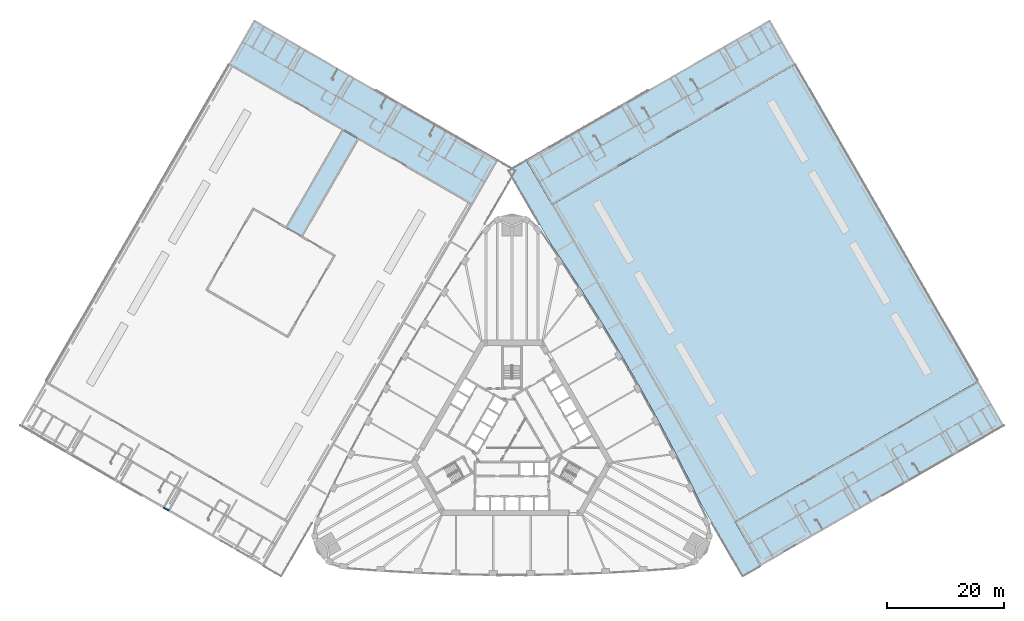
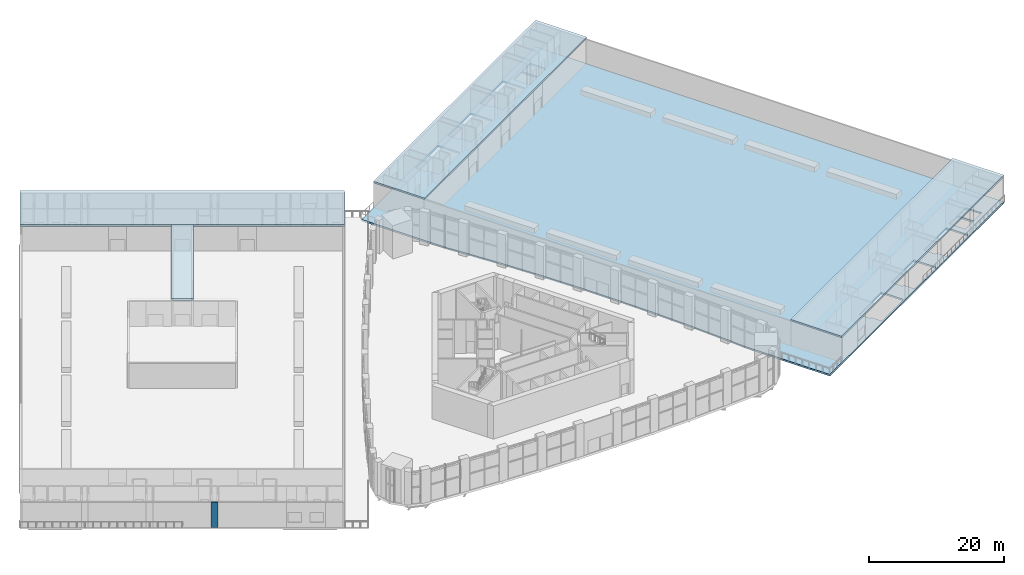
# One storey, part 21 of 41: 5 slabs, 1 wall.
"""IFC4 building model written with IfcOpenShell, lengths in metres."""

from ifc_helpers import new_model, si_unit, direction, frame, frame_2d, origin, place, context, subcontext, project, spatial, polyline, rectangle, outline, extrude, material, layer, layer_set, type_object, element, save


model = new_model("IFC4")

# Units and contexts
model_context = context("Model", 3, precision=1e-05, world=origin(), true_north=direction((0.0, 1.0)))
body_context = subcontext(model_context, "Body", "Model", "MODEL_VIEW")
ifc_project = project(units=[si_unit("LENGTHUNIT", "METRE"), si_unit("AREAUNIT", "SQUARE_METRE"), si_unit("VOLUMEUNIT", "CUBIC_METRE"), si_unit("PLANEANGLEUNIT", "RADIAN"), si_unit("MASSUNIT", "GRAM", prefix="KILO")], contexts=[model_context])

# Site, building, storey
site_placement = place(None, origin())
site = spatial("IfcSite", under=ifc_project, at=site_placement, CompositionType="ELEMENT")
building_placement = place(site_placement, origin())
building = spatial("IfcBuilding", under=site, at=building_placement, Name="Mestral Congress Tower", CompositionType="ELEMENT")
storey_placement = place(building_placement, frame((0.0, 0.0, 21.60009765625)))
storey = spatial("IfcBuildingStorey", under=building, at=storey_placement, Name="L04", CompositionType="ELEMENT", Elevation=21.60009765625)

# Slabs
ifc_material_1 = material(Name="Concrete C35/45", Category="concrete")
ifc_layer_1 = layer(ifc_material_1, 0.300048828125)
ifc_layer_set_1 = layer_set([ifc_layer_1], Name="Concrete C35/45")
slab_type_1 = type_object("IfcSlabType", Name="Garden deck slab 300", PredefinedType="FLOOR", material=ifc_layer_set_1)
slab_1_placement = place(storey_placement, frame((0.0, 0.0, -0.300048828125)))
element("IfcSlab", 1, at=slab_1_placement, inside=storey, type_object=slab_type_1, Name="SL-L04-E-0", PredefinedType="FLOOR", context=body_context, shape_type="SweptSolid", body=[
    extrude(outline(polyline([(44.0234375, 71.60498046875), (2.454345703125, 47.60498046875), (-0.576904296875, 45.85498046875), (6.69970703125, 33.251708984375), (8.4111328125, 30.737060546875), (11.91796875, 25.373291015625), (15.324951171875, 19.946044921875), (18.631103515625, 14.45654296875), (21.835205078125, 8.90673828125), (24.936279296875, 3.298828125), (27.93310546875, -2.365478515625), (30.824462890625, -8.084228515625), (32.146484375, -10.822998046875), (39.423095703125, -23.427001953125), (42.454345703125, -21.677001953125), (84.0234375, 2.322998046875), (44.0234375, 71.60498046875)]), holes=[polyline([(51.798583984375, -13.74169921875), (50.898681640625, -12.182861328125), (56.6923828125, -8.837890625), (57.59228515625, -10.396728515625), (57.667236328125, -10.526611328125), (58.5673828125, -12.08544921875), (53.024658203125, -15.285400390625), (52.124755859375, -13.7265625), (51.87353515625, -13.87158203125), (51.798583984375, -13.74169921875)]), polyline([(13.923583984375, 51.859619140625), (13.023681640625, 53.41845703125), (18.8173828125, 56.763427734375), (19.71728515625, 55.20458984375), (19.792236328125, 55.07470703125), (20.6923828125, 53.515869140625), (15.149658203125, 50.31591796875), (14.249755859375, 51.874755859375), (13.99853515625, 51.729736328125), (13.923583984375, 51.859619140625)]), polyline([(60.1123046875, -8.941650390625), (59.21240234375, -7.3828125), (65.006103515625, -4.037841796875), (65.906005859375, -5.5966796875), (65.981201171875, -5.7265625), (66.881103515625, -7.285400390625), (61.338623046875, -10.485595703125), (60.438720703125, -8.926513671875), (60.1875, -9.071533203125), (60.1123046875, -8.941650390625)]), polyline([(22.3125, 56.52978515625), (22.2373046875, 56.65966796875), (21.33740234375, 58.218505859375), (27.131103515625, 61.5634765625), (28.031005859375, 60.004638671875), (28.106201171875, 59.874755859375), (29.006103515625, 58.31591796875), (23.463623046875, 55.115966796875), (22.563720703125, 56.6748046875), (22.3125, 56.52978515625)]), polyline([(68.501220703125, -4.271484375), (68.42626953125, -4.1416015625), (67.5263671875, -2.5830078125), (73.320068359375, 0.76220703125), (74.219970703125, -0.796630859375), (74.294921875, -0.926513671875), (75.195068359375, -2.485595703125), (69.65234375, -5.685546875), (68.75244140625, -4.126708984375), (68.501220703125, -4.271484375)]), polyline([(30.55126953125, 61.459716796875), (29.6513671875, 63.0185546875), (35.445068359375, 66.363525390625), (36.344970703125, 64.8046875), (36.419921875, 64.6748046875), (37.320068359375, 63.115966796875), (31.77734375, 59.916015625), (30.87744140625, 61.474853515625), (30.626220703125, 61.329833984375), (30.55126953125, 61.459716796875)]), polyline([(76.189453125, 2.592041015625), (77.53955078125, 0.253662109375), (75.547607421875, -0.896240234375), (74.197509765625, 1.44189453125), (76.189453125, 2.592041015625)]), polyline([(38.989501953125, 67.0244140625), (40.339599609375, 64.68603515625), (38.34765625, 63.535888671875), (36.99755859375, 65.874267578125), (38.989501953125, 67.0244140625)]), polyline([(76.36279296875, 2.69189453125), (78.3544921875, 3.842041015625), (79.70458984375, 1.503662109375), (77.712646484375, 0.353759765625), (76.36279296875, 2.69189453125)]), polyline([(39.16259765625, 67.124267578125), (41.154541015625, 68.2744140625), (42.50439453125, 65.93603515625), (40.5126953125, 64.785888671875), (39.16259765625, 67.124267578125)])]), origin(), (0.0, 0.0, 1.0), 0.300048828125),
])
ifc_layer_2 = layer(ifc_material_1, 0.300048828125)
ifc_layer_set_2 = layer_set([ifc_layer_2], Name="Concrete C35/45")
slab_type_2 = type_object("IfcSlabType", Name="Podium roof slab 300", PredefinedType="ROOF", material=ifc_layer_set_2)
placement = place(storey_placement, frame((0.0, 0.0, 4.5)))
element("IfcSlab", 2, at=placement, inside=storey, type_object=slab_type_2, Name="Head-house roof", PredefinedType="ROOF", context=body_context, shape_type="SweptSolid", body=[
    extrude(outline(polyline([(84.0234375, 2.322998046875), (79.6484375, 9.900634765625), (38.079345703125, -14.099365234375), (42.454345703125, -21.677001953125), (84.0234375, 2.322998046875)])), origin(), (0.0, 0.0, 1.0), 0.2998046875),
])
element("IfcSlab", 3, at=placement, inside=storey, type_object=slab_type_2, Name="Head-house roof", PredefinedType="ROOF", context=body_context, shape_type="SweptSolid", body=[
    extrude(outline(polyline([(48.3984375, 64.02734375), (44.0234375, 71.60498046875), (2.454345703125, 47.60498046875), (6.829345703125, 40.02734375), (48.3984375, 64.02734375)])), origin(), (0.0, 0.0, 1.0), 0.2998046875),
])
element("IfcSlab", 4, at=placement, inside=storey, type_object=slab_type_2, Name="Head-house roof", PredefinedType="ROOF", context=body_context, shape_type="SweptSolid", body=[
    extrude(outline(polyline([(-44.0234375, 71.60498046875), (-48.3984375, 64.02734375), (-6.829345703125, 40.02734375), (-2.454345703125, 47.60498046875), (-44.0234375, 71.60498046875)])), origin(), (0.0, 0.0, 1.0), 0.2998046875),
])
element("IfcSlab", 5, at=placement, inside=storey, type_object=slab_type_2, Name="Gallery roof", PredefinedType="ROOF", context=body_context, shape_type="SweptSolid", body=[
    extrude(outline(polyline([(-29.021240234375, 52.83984375), (-38.583740234375, 36.277099609375), (-35.76904296875, 34.652099609375), (-26.20654296875, 51.21484375), (-29.021240234375, 52.83984375)])), origin(), (0.0, 0.0, 1.0), 0.2998046875),
])

# Wall
ifc_material_2 = material(Name="Precast concrete C40/50 with limestone facing", Category="masonry")
ifc_layer_3 = layer(ifc_material_2, 0.25)
ifc_layer_set_3 = layer_set([ifc_layer_3], Name="Precast concrete C40/50 with limestone facing")
wall_type = type_object("IfcWallType", Name="Podium external wall 250 R 180 load-bearing to roof", PredefinedType="SOLIDWALL", material=ifc_layer_set_3)
wall_placement = place(storey_placement, frame((-58.6298828125, -12.19384765625, 0.0), z_axis=(0.0, 0.0, 1.0), x_axis=(-0.866010750942, 0.50002537861, 0.0)))
element("IfcWall", 6, at=wall_placement, inside=storey, type_object=wall_type, Name="L04 external wall", PredefinedType="SOLIDWALL", context=body_context, shape_type="SweptSolid", body=[
    extrude(rectangle(XDim=1.0, YDim=0.25, at=frame_2d((0.5, 0.0))), origin(), (0.0, 0.0, 1.0), 4.5),
])

save(model, "model.ifc")
